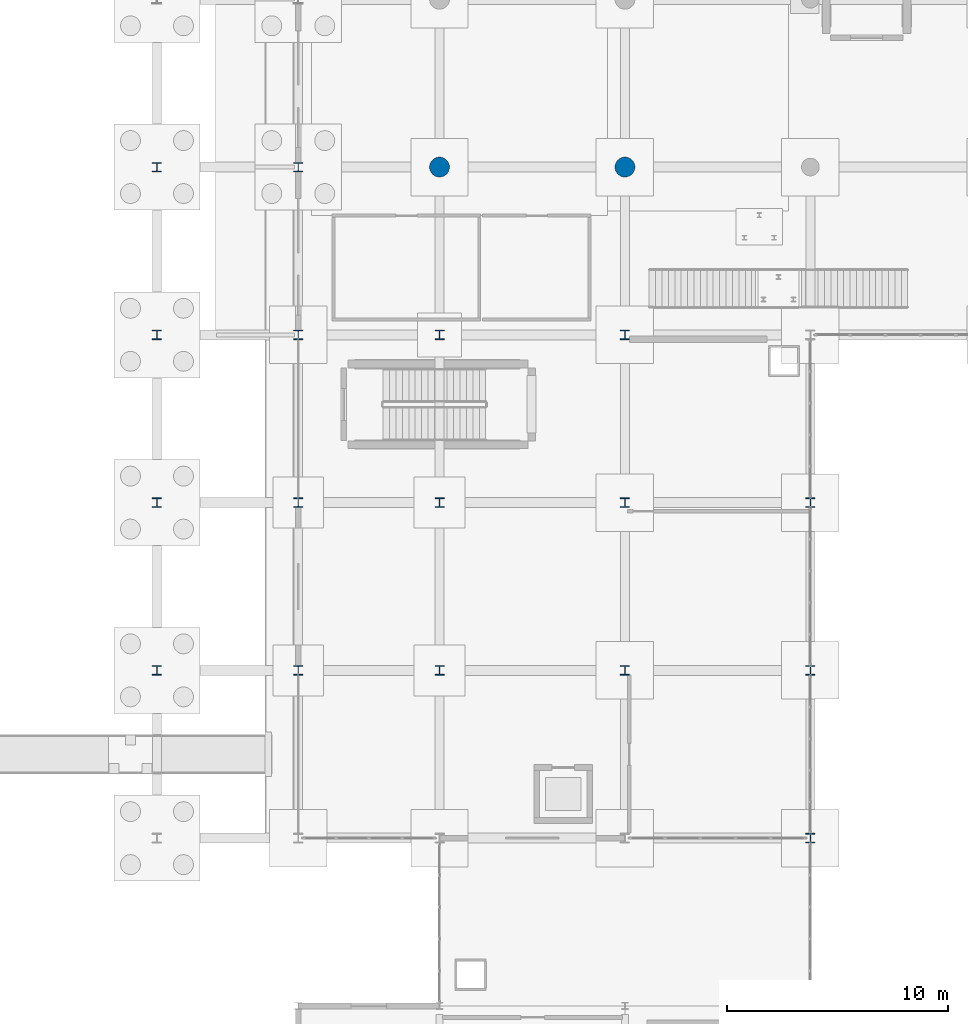
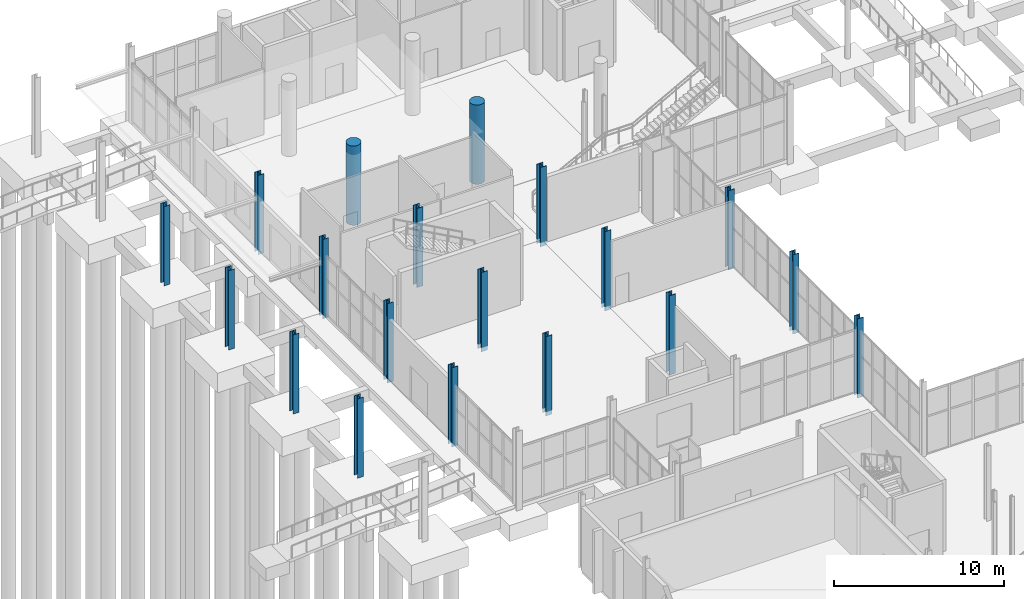
# One storey, part 7 of 95: 19 columns.
"""IFC4 building model written with IfcOpenShell, lengths in metres."""

from ifc_helpers import new_model, si_unit, direction, frame, origin, origin_2d, place, context, subcontext, project, spatial, circle, i_section, extrude, material, material_profile, profile_set, type_object, element, save


model = new_model("IFC4")

# Units and contexts
model_context = context("Model", 3, precision=1e-05, world=origin(), true_north=direction((0.0, 1.0)))
body_context = subcontext(model_context, "Body", "Model", "MODEL_VIEW")
ifc_project = project(units=[si_unit("LENGTHUNIT", "METRE"), si_unit("AREAUNIT", "SQUARE_METRE"), si_unit("VOLUMEUNIT", "CUBIC_METRE"), si_unit("PLANEANGLEUNIT", "RADIAN"), si_unit("MASSUNIT", "GRAM", prefix="KILO")], contexts=[model_context])

# Site, building, storey
site_placement = place(None, origin())
site = spatial("IfcSite", under=ifc_project, at=site_placement, CompositionType="ELEMENT")
building_placement = place(site_placement, origin())
building = spatial("IfcBuilding", under=site, at=building_placement, Name="Shengluoqiao Park Theatre", CompositionType="ELEMENT")
storey_placement = place(building_placement, origin())
storey = spatial("IfcBuildingStorey", under=building, at=storey_placement, Name="L00", CompositionType="ELEMENT", Elevation=0.0)

# Columns
ifc_material_1 = material(Name="Steel Q390", Category="steel")
ifc_material_profile_1 = material_profile(ifc_material_1, i_section(OverallWidth=0.405029296875, OverallDepth=0.4140625, WebThickness=0.01806640625, FlangeThickness=0.028076171875, FilletRadius=0.02197265625, at=origin_2d()), Name="HW 414x405x18x28")
ifc_profile_set_1 = profile_set([ifc_material_profile_1], Name="Steel Q390")
column_type_1 = type_object("IfcColumnType", Name="STR-COL-C-HW414", PredefinedType="COLUMN", material=ifc_profile_set_1)
for number, where, z_axis, x_axis, name in (
    (1, (6.39990234375, 60.800048828125, -0.300048828125), (0.0, 0.0, 1.0), (1.0, 0.0, 0.0), "L00 Column 0017"),
    (2, (12.800048828125, 60.800048828125, -0.300048828125), (0.0, 0.0, 1.0), (1.0, 0.0, 0.0), "L00 Column 0055"),
):
    element("IfcColumn", number, at=place(storey_placement, frame(where, z_axis=z_axis, x_axis=x_axis)), inside=storey, type_object=column_type_1, Name=name, PredefinedType="COLUMN", context=body_context, shape_type="SweptSolid", body=[
        extrude(i_section(OverallWidth=0.405029296875, OverallDepth=0.4140625, WebThickness=0.01806640625, FlangeThickness=0.028076171875, FilletRadius=0.02197265625, at=origin_2d()), origin(), (0.0, 0.0, 1.0), 5.699951171875),
    ])
ifc_material_profile_2 = material_profile(ifc_material_1, i_section(OverallWidth=0.406982421875, OverallDepth=0.427978515625, WebThickness=0.02001953125, FlangeThickness=0.034912109375, FilletRadius=0.02197265625, at=origin_2d()), Name="HW 428x407x20x35")
ifc_profile_set_2 = profile_set([ifc_material_profile_2], Name="Steel Q390")
column_type_2 = type_object("IfcColumnType", Name="STR-COL-C-HW428", PredefinedType="COLUMN", material=ifc_profile_set_2)
for number, where, z_axis, x_axis, name in (
    (3, (6.39990234375, 38.0, -0.300048828125), (0.0, 0.0, 1.0), (1.0, 0.0, 0.0), "L00 Column 0005"),
    (4, (6.39990234375, 45.60009765625, -0.300048828125), (0.0, 0.0, 1.0), (1.0, 0.0, 0.0), "L00 Column 0009"),
    (5, (6.39990234375, 53.199951171875, -0.300048828125), (0.0, 0.0, 1.0), (1.0, 0.0, 0.0), "L00 Column 0013"),
    (6, (12.800048828125, 38.0, -0.300048828125), (0.0, 0.0, 1.0), (1.0, 0.0, 0.0), "L00 Column 0049"),
    (7, (12.800048828125, 45.60009765625, -0.300048828125), (0.0, 0.0, 1.0), (1.0, 0.0, 0.0), "L00 Column 0050"),
    (8, (12.800048828125, 53.199951171875, -0.300048828125), (0.0, 0.0, 1.0), (1.0, 0.0, 0.0), "L00 Column 0051"),
    (9, (19.199951171875, 38.0, -0.300048828125), (0.0, 0.0, 1.0), (1.0, 0.0, 0.0), "L00 Column 0081"),
    (10, (19.199951171875, 45.60009765625, -0.300048828125), (0.0, 0.0, 1.0), (1.0, 0.0, 0.0), "L00 Column 0082"),
    (11, (19.199951171875, 53.199951171875, -0.300048828125), (0.0, 0.0, 1.0), (1.0, 0.0, 0.0), "L00 Column 0083"),
    (12, (27.60009765625, 38.0, -0.300048828125), (0.0, 0.0, 1.0), (1.0, 0.0, 0.0), "L00 Column 0119"),
    (13, (27.60009765625, 45.60009765625, -0.300048828125), (0.0, 0.0, 1.0), (1.0, 0.0, 0.0), "L00 Column 0123"),
    (14, (27.60009765625, 53.199951171875, -0.300048828125), (0.0, 0.0, 1.0), (1.0, 0.0, 0.0), "L00 Column 0127"),
    (15, (36.0, 30.39990234375, -0.300048828125), (0.0, 0.0, 1.0), (1.0, 0.0, 0.0), "L00 Column 0159"),
    (16, (36.0, 38.0, -0.300048828125), (0.0, 0.0, 1.0), (1.0, 0.0, 0.0), "L00 Column 0163"),
    (17, (36.0, 45.60009765625, -0.300048828125), (0.0, 0.0, 1.0), (1.0, 0.0, 0.0), "L00 Column 0167"),
):
    element("IfcColumn", number, at=place(storey_placement, frame(where, z_axis=z_axis, x_axis=x_axis)), inside=storey, type_object=column_type_2, Name=name, PredefinedType="COLUMN", context=body_context, shape_type="SweptSolid", body=[
        extrude(i_section(OverallWidth=0.406982421875, OverallDepth=0.427978515625, WebThickness=0.02001953125, FlangeThickness=0.034912109375, FilletRadius=0.02197265625, at=origin_2d()), origin(), (0.0, 0.0, 1.0), 5.699951171875),
    ])
ifc_material_2 = material(Name="Concrete C50", Category="concrete")
ifc_material_profile_3 = material_profile(ifc_material_2, circle(Radius=0.449951171875, at=origin_2d()), Name="RC COL D900")
ifc_profile_set_3 = profile_set([ifc_material_profile_3], Name="Concrete C50")
column_type_3 = type_object("IfcColumnType", Name="STR-COL-C-RCD900", PredefinedType="COLUMN", material=ifc_profile_set_3)
for number, where, z_axis, x_axis, name in (
    (18, (19.199951171875, 60.800048828125, -0.300048828125), (0.0, 0.0, 1.0), (1.0, 0.0, 0.0), "L00 Column 0087"),
    (19, (27.60009765625, 60.800048828125, -0.300048828125), (0.0, 0.0, 1.0), (1.0, 0.0, 0.0), "L00 Column 0131"),
):
    element("IfcColumn", number, at=place(storey_placement, frame(where, z_axis=z_axis, x_axis=x_axis)), inside=storey, type_object=column_type_3, Name=name, PredefinedType="COLUMN", context=body_context, shape_type="SweptSolid", body=[
        extrude(circle(Radius=0.449951171875, at=origin_2d()), origin(), (0.0, 0.0, 1.0), 5.699951171875),
    ])

save(model, "model.ifc")
